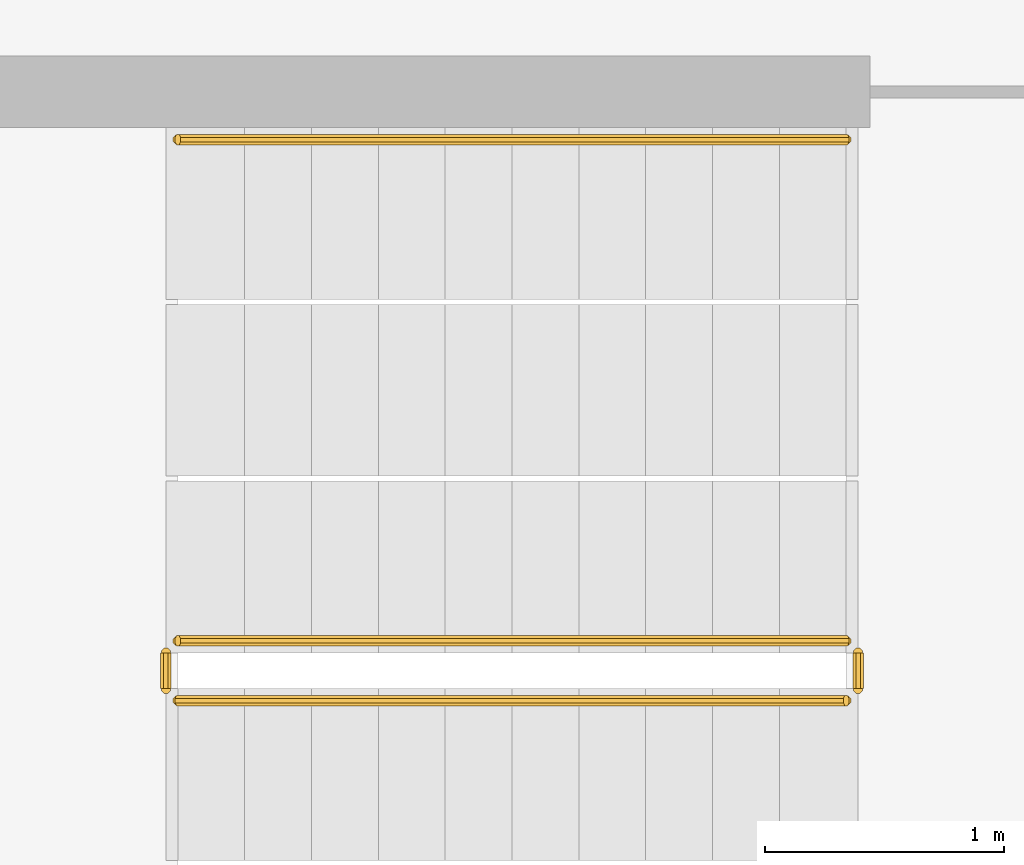
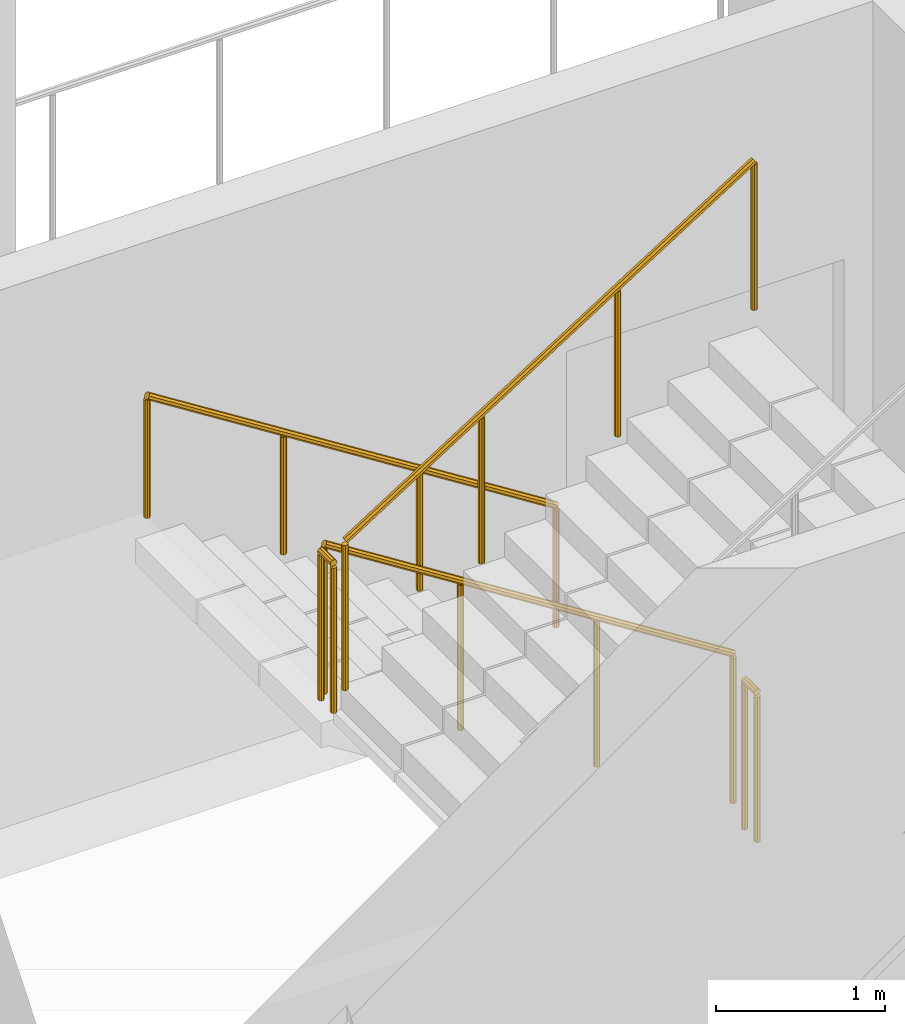
# One storey, part 20 of 26: 5 railings.
"""IFC4 building model written with IfcOpenShell, lengths in metres."""

from ifc_helpers import new_model, si_unit, direction, frame, origin, place, context, subcontext, project, spatial, polyline, outline, extrude, material, type_object, element, save


model = new_model("IFC4")

# Units and contexts
model_context = context("Model", 3, precision=1e-05, world=origin(), true_north=direction((0.0, 1.0)))
body_context = subcontext(model_context, "Body", "Model", "MODEL_VIEW")
ifc_project = project(units=[si_unit("LENGTHUNIT", "METRE"), si_unit("AREAUNIT", "SQUARE_METRE"), si_unit("VOLUMEUNIT", "CUBIC_METRE"), si_unit("PLANEANGLEUNIT", "RADIAN"), si_unit("MASSUNIT", "GRAM", prefix="KILO")], contexts=[model_context])

# Site, building, storey
site_placement = place(None, origin())
site = spatial("IfcSite", under=ifc_project, at=site_placement, CompositionType="ELEMENT")
building_placement = place(site_placement, origin())
building = spatial("IfcBuilding", under=site, at=building_placement, Name="Cormorant Relay Tower", CompositionType="ELEMENT")
storey_placement = place(building_placement, frame((0.0, 0.0, 269.699951171875)))
storey = spatial("IfcBuildingStorey", under=building, at=storey_placement, Name="L60", CompositionType="ELEMENT", Elevation=269.699951171875)

# Railings
ifc_material_1 = material(Name="Steel ASTM A572 Grade 50 (Fy 345 MPa)", Category="steel")
railing_type_1 = type_object("IfcRailingType", Name="Stair guard 1100", PredefinedType="GUARDRAIL", material=ifc_material_1)
railing_1_placement = place(storey_placement, frame((1.60009765625, -18.27490234375, 0.17724609375)))
element("IfcRailing", 1, at=railing_1_placement, inside=storey, type_object=railing_type_1, Name="L60 RK1 stair guard 1", PredefinedType="GUARDRAIL", context=body_context, shape_type="SweptSolid", body=[
    extrude(outline(polyline([(0.022216796875, 0.00927734375), (0.00927734375, 0.022216796875), (-0.00927734375, 0.022216796875), (-0.022216796875, 0.00927734375), (-0.022216796875, -0.00927734375), (-0.00927734375, -0.022216796875), (0.00927734375, -0.022216796875), (0.022216796875, -0.00927734375), (0.022216796875, 0.00927734375)])), frame((0.0, 0.0, 1.076171875), z_axis=(-0.844908973607, 0.0, 0.534910110503), x_axis=(0.0, -1.0, 0.0)), (0.0, 0.0, 1.0), 3.31396484375),
    extrude(outline(polyline([(0.019287109375, 0.008056640625), (0.008056640625, 0.019287109375), (-0.008056640625, 0.019287109375), (-0.019287109375, 0.008056640625), (-0.019287109375, -0.008056640625), (-0.008056640625, -0.019287109375), (0.008056640625, -0.019287109375), (0.019287109375, -0.008056640625), (0.019287109375, 0.008056640625)])), origin(), (0.0, 0.0, 1.0), 1.052001953125),
    extrude(outline(polyline([(0.019287109375, 0.008056640625), (0.008056640625, 0.019287109375), (-0.008056640625, 0.019287109375), (-0.019287109375, 0.008056640625), (-0.019287109375, -0.008056640625), (-0.008056640625, -0.019287109375), (0.008056640625, -0.019287109375), (0.019287109375, -0.008056640625), (0.019287109375, 0.008056640625)])), frame((-0.933349609375, 0.0, 0.5908203125)), (0.0, 0.0, 1.0), 1.052001953125),
    extrude(outline(polyline([(0.019287109375, 0.008056640625), (0.008056640625, 0.019287109375), (-0.008056640625, 0.019287109375), (-0.019287109375, 0.008056640625), (-0.019287109375, -0.008056640625), (-0.008056640625, -0.019287109375), (0.008056640625, -0.019287109375), (0.019287109375, -0.008056640625), (0.019287109375, 0.008056640625)])), frame((-1.86669921875, 0.0, 1.181884765625)), (0.0, 0.0, 1.0), 1.052001953125),
    extrude(outline(polyline([(0.019287109375, 0.008056640625), (0.008056640625, 0.019287109375), (-0.008056640625, 0.019287109375), (-0.019287109375, 0.008056640625), (-0.019287109375, -0.008056640625), (-0.008056640625, -0.019287109375), (0.008056640625, -0.019287109375), (0.019287109375, -0.008056640625), (0.019287109375, 0.008056640625)])), frame((-2.800048828125, 0.0, 1.772705078125)), (0.0, 0.0, 1.0), 1.052001953125),
])
railing_2_placement = place(storey_placement, frame((-1.25, -18.324951171875, 1.949951171875)))
element("IfcRailing", 2, at=railing_2_placement, inside=storey, type_object=railing_type_1, Name="L60 RK1 stair guard 2", PredefinedType="GUARDRAIL", context=body_context, shape_type="SweptSolid", body=[
    extrude(outline(polyline([(0.022216796875, 0.00927734375), (0.00927734375, 0.022216796875), (-0.00927734375, 0.022216796875), (-0.022216796875, 0.00927734375), (-0.022216796875, -0.00927734375), (-0.00927734375, -0.022216796875), (0.00927734375, -0.022216796875), (0.022216796875, -0.00927734375), (0.022216796875, 0.00927734375)])), frame((0.0, 0.0, 1.076171875), z_axis=(0.0, -1.0, 0.0), x_axis=(1.0, 0.0, 0.0)), (0.0, 0.0, 1.0), 0.150146484375),
    extrude(outline(polyline([(0.019287109375, 0.008056640625), (0.008056640625, 0.019287109375), (-0.008056640625, 0.019287109375), (-0.019287109375, 0.008056640625), (-0.019287109375, -0.008056640625), (-0.008056640625, -0.019287109375), (0.008056640625, -0.019287109375), (0.019287109375, -0.008056640625), (0.019287109375, 0.008056640625)])), origin(), (0.0, 0.0, 1.0), 1.052001953125),
    extrude(outline(polyline([(0.019287109375, 0.008056640625), (0.008056640625, 0.019287109375), (-0.008056640625, 0.019287109375), (-0.019287109375, 0.008056640625), (-0.019287109375, -0.008056640625), (-0.008056640625, -0.019287109375), (0.008056640625, -0.019287109375), (0.019287109375, -0.008056640625), (0.019287109375, 0.008056640625)])), frame((0.0, -0.150146484375, 0.0)), (0.0, 0.0, 1.0), 1.052001953125),
])
railing_3_placement = place(storey_placement, frame((-1.199951171875, -18.52490234375, 2.12744140625)))
element("IfcRailing", 3, at=railing_3_placement, inside=storey, type_object=railing_type_1, Name="L60 RK1 stair guard 3", PredefinedType="GUARDRAIL", context=body_context, shape_type="SweptSolid", body=[
    extrude(outline(polyline([(0.022216796875, 0.00927734375), (0.00927734375, 0.022216796875), (-0.00927734375, 0.022216796875), (-0.022216796875, 0.00927734375), (-0.022216796875, -0.00927734375), (-0.00927734375, -0.022216796875), (0.00927734375, -0.022216796875), (0.022216796875, -0.00927734375), (0.022216796875, 0.00927734375)])), frame((0.0, 0.0, 1.076171875), z_axis=(0.844908973607, 0.0, 0.534910110503), x_axis=(0.0, 1.0, 0.0)), (0.0, 0.0, 1.0), 3.31396484375),
    extrude(outline(polyline([(0.019287109375, 0.008056640625), (0.008056640625, 0.019287109375), (-0.008056640625, 0.019287109375), (-0.019287109375, 0.008056640625), (-0.019287109375, -0.008056640625), (-0.008056640625, -0.019287109375), (0.008056640625, -0.019287109375), (0.019287109375, -0.008056640625), (0.019287109375, 0.008056640625)])), origin(), (0.0, 0.0, 1.0), 1.052001953125),
    extrude(outline(polyline([(0.019287109375, 0.008056640625), (0.008056640625, 0.019287109375), (-0.008056640625, 0.019287109375), (-0.019287109375, 0.008056640625), (-0.019287109375, -0.008056640625), (-0.008056640625, -0.019287109375), (0.008056640625, -0.019287109375), (0.019287109375, -0.008056640625), (0.019287109375, 0.008056640625)])), frame((0.933349609375, 0.0, 0.5908203125)), (0.0, 0.0, 1.0), 1.052001953125),
    extrude(outline(polyline([(0.019287109375, 0.008056640625), (0.008056640625, 0.019287109375), (-0.008056640625, 0.019287109375), (-0.019287109375, 0.008056640625), (-0.019287109375, -0.008056640625), (-0.008056640625, -0.019287109375), (0.008056640625, -0.019287109375), (0.019287109375, -0.008056640625), (0.019287109375, 0.008056640625)])), frame((1.86669921875, 0.0, 1.181884765625)), (0.0, 0.0, 1.0), 1.052001953125),
    extrude(outline(polyline([(0.019287109375, 0.008056640625), (0.008056640625, 0.019287109375), (-0.008056640625, 0.019287109375), (-0.019287109375, 0.008056640625), (-0.019287109375, -0.008056640625), (-0.008056640625, -0.019287109375), (0.008056640625, -0.019287109375), (0.019287109375, -0.008056640625), (0.019287109375, 0.008056640625)])), frame((2.800048828125, 0.0, 1.772705078125)), (0.0, 0.0, 1.0), 1.052001953125),
])
railing_4_placement = place(storey_placement, frame((1.64990234375, -18.324951171875, 0.0)))
element("IfcRailing", 4, at=railing_4_placement, inside=storey, type_object=railing_type_1, Name="L60 RK1 stair guard 4", PredefinedType="GUARDRAIL", context=body_context, shape_type="SweptSolid", body=[
    extrude(outline(polyline([(0.022216796875, 0.00927734375), (0.00927734375, 0.022216796875), (-0.00927734375, 0.022216796875), (-0.022216796875, 0.00927734375), (-0.022216796875, -0.00927734375), (-0.00927734375, -0.022216796875), (0.00927734375, -0.022216796875), (0.022216796875, -0.00927734375), (0.022216796875, 0.00927734375)])), frame((0.0, 0.0, 1.076171875), z_axis=(0.0, -1.0, 0.0), x_axis=(1.0, 0.0, 0.0)), (0.0, 0.0, 1.0), 0.150146484375),
    extrude(outline(polyline([(0.019287109375, 0.008056640625), (0.008056640625, 0.019287109375), (-0.008056640625, 0.019287109375), (-0.019287109375, 0.008056640625), (-0.019287109375, -0.008056640625), (-0.008056640625, -0.019287109375), (0.008056640625, -0.019287109375), (0.019287109375, -0.008056640625), (0.019287109375, 0.008056640625)])), origin(), (0.0, 0.0, 1.0), 1.052001953125),
    extrude(outline(polyline([(0.019287109375, 0.008056640625), (0.008056640625, 0.019287109375), (-0.008056640625, 0.019287109375), (-0.019287109375, 0.008056640625), (-0.019287109375, -0.008056640625), (-0.008056640625, -0.019287109375), (0.008056640625, -0.019287109375), (0.019287109375, -0.008056640625), (0.019287109375, 0.008056640625)])), frame((0.0, -0.150146484375, 0.0)), (0.0, 0.0, 1.0), 1.052001953125),
])
ifc_material_2 = material(Name="Steel ASTM A572 Grade 50 (Fy 345 MPa)", Category="steel")
railing_type_2 = type_object("IfcRailingType", Name="Stair handrail 900", PredefinedType="HANDRAIL", material=ifc_material_2)
railing_5_placement = place(storey_placement, frame((1.60009765625, -16.175048828125, 0.17724609375)))
element("IfcRailing", 5, at=railing_5_placement, inside=storey, type_object=railing_type_2, Name="L60 RK1 stair handrail 1", PredefinedType="HANDRAIL", context=body_context, shape_type="SweptSolid", body=[
    extrude(outline(polyline([(0.022216796875, 0.00927734375), (0.00927734375, 0.022216796875), (-0.00927734375, 0.022216796875), (-0.022216796875, 0.00927734375), (-0.022216796875, -0.00927734375), (-0.00927734375, -0.022216796875), (0.00927734375, -0.022216796875), (0.022216796875, -0.00927734375), (0.022216796875, 0.00927734375)])), frame((0.0, 0.0, 0.8759765625), z_axis=(-0.844908973607, 0.0, 0.534910110503), x_axis=(0.0, -1.0, 0.0)), (0.0, 0.0, 1.0), 3.31396484375),
    extrude(outline(polyline([(0.019287109375, 0.008056640625), (0.008056640625, 0.019287109375), (-0.008056640625, 0.019287109375), (-0.019287109375, 0.008056640625), (-0.019287109375, -0.008056640625), (-0.008056640625, -0.019287109375), (0.008056640625, -0.019287109375), (0.019287109375, -0.008056640625), (0.019287109375, 0.008056640625)])), origin(), (0.0, 0.0, 1.0), 0.851806640625),
    extrude(outline(polyline([(0.019287109375, 0.008056640625), (0.008056640625, 0.019287109375), (-0.008056640625, 0.019287109375), (-0.019287109375, 0.008056640625), (-0.019287109375, -0.008056640625), (-0.008056640625, -0.019287109375), (0.008056640625, -0.019287109375), (0.019287109375, -0.008056640625), (0.019287109375, 0.008056640625)])), frame((-0.933349609375, 0.0, 0.5908203125)), (0.0, 0.0, 1.0), 0.851806640625),
    extrude(outline(polyline([(0.019287109375, 0.008056640625), (0.008056640625, 0.019287109375), (-0.008056640625, 0.019287109375), (-0.019287109375, 0.008056640625), (-0.019287109375, -0.008056640625), (-0.008056640625, -0.019287109375), (0.008056640625, -0.019287109375), (0.019287109375, -0.008056640625), (0.019287109375, 0.008056640625)])), frame((-1.86669921875, 0.0, 1.181884765625)), (0.0, 0.0, 1.0), 0.851806640625),
    extrude(outline(polyline([(0.019287109375, 0.008056640625), (0.008056640625, 0.019287109375), (-0.008056640625, 0.019287109375), (-0.019287109375, 0.008056640625), (-0.019287109375, -0.008056640625), (-0.008056640625, -0.019287109375), (0.008056640625, -0.019287109375), (0.019287109375, -0.008056640625), (0.019287109375, 0.008056640625)])), frame((-2.800048828125, 0.0, 1.772705078125)), (0.0, 0.0, 1.0), 0.851806640625),
])

save(model, "model.ifc")
